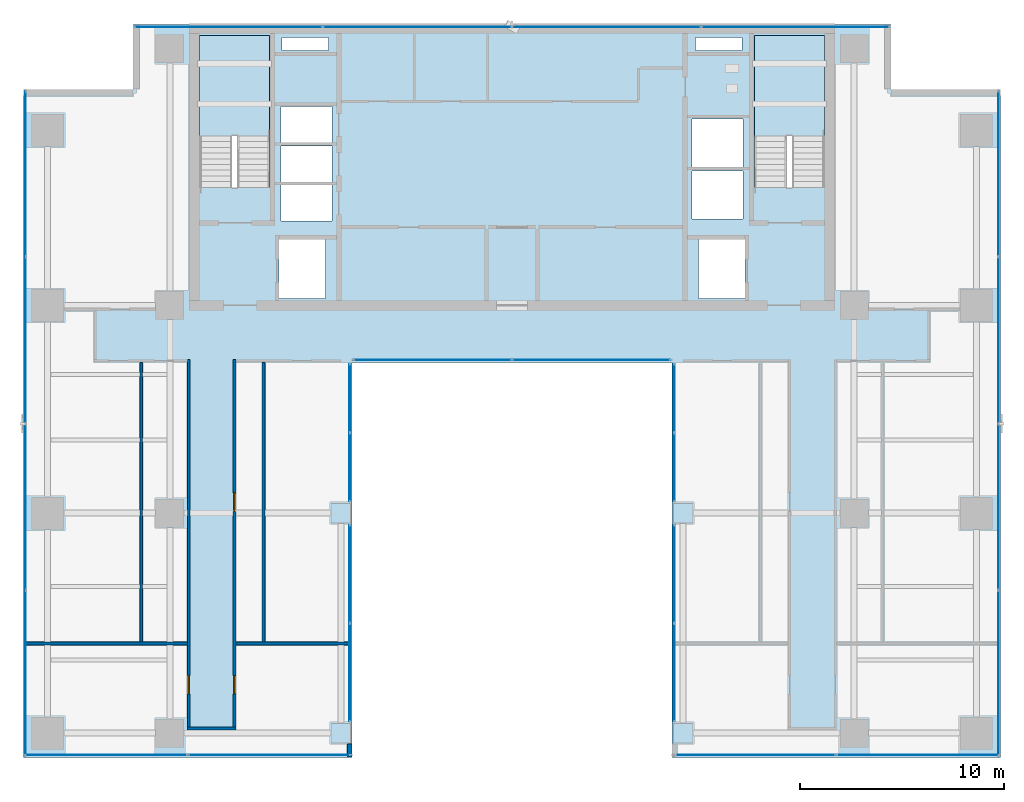
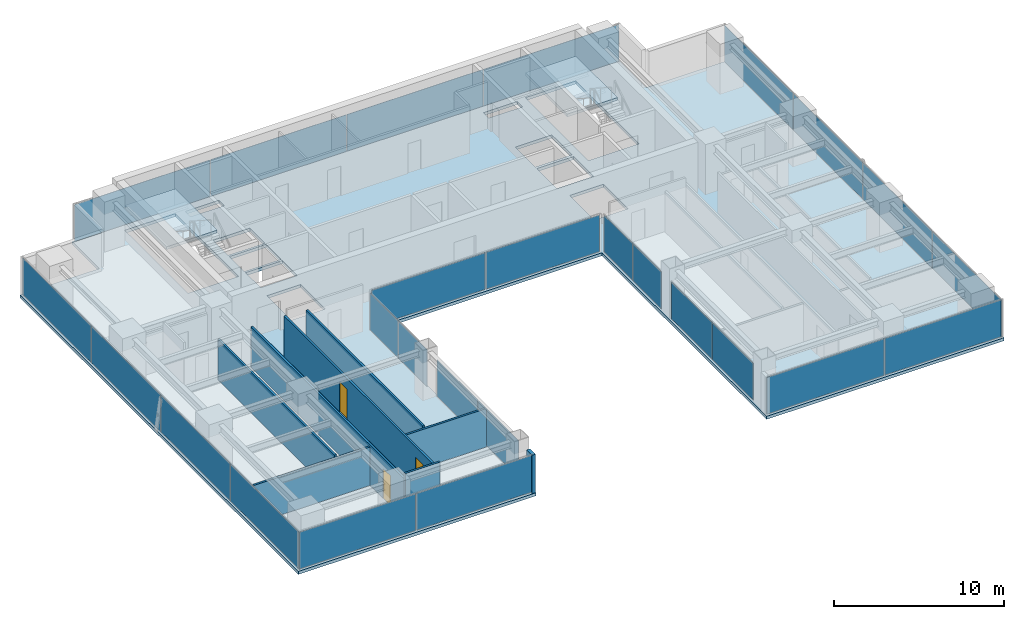
# One storey, part 23 of 29: 26 plates, 8 walls, 3 doors, 3 slabs, 3 openings, 12 elements without a shape of their own.
"""IFC4 building model written with IfcOpenShell, lengths in metres."""

from ifc_helpers import new_model, si_unit, direction, frame, frame_2d, origin, origin_2d, place, context, subcontext, project, spatial, polyline, rectangle, outline, extrude, source, transform, mapped, material, layer, layer_set, type_object, element, fill, aggregate, save


model = new_model("IFC4")

# Units and contexts
model_context = context("Model", 3, precision=1e-05, world=origin(), true_north=direction((0.0, 1.0)))
body_context = subcontext(model_context, "Body", "Model", "MODEL_VIEW")
ifc_project = project(units=[si_unit("LENGTHUNIT", "METRE"), si_unit("AREAUNIT", "SQUARE_METRE"), si_unit("VOLUMEUNIT", "CUBIC_METRE"), si_unit("PLANEANGLEUNIT", "RADIAN"), si_unit("MASSUNIT", "GRAM", prefix="KILO")], contexts=[model_context])

# Site, building, storey
site_placement = place(None, origin())
site = spatial("IfcSite", under=ifc_project, at=site_placement, CompositionType="ELEMENT")
building_placement = place(site_placement, origin())
building = spatial("IfcBuilding", under=site, at=building_placement, Name="Sumidabori Civic Tower", CompositionType="ELEMENT")
storey_placement = place(building_placement, frame((0.0, 0.0, 203.60009765625)))
storey = spatial("IfcBuildingStorey", under=building, at=storey_placement, Name="L52", CompositionType="ELEMENT", Elevation=203.60009765625)

# Stair, slab
ifc_material_1 = material(Name="Concrete C40/50", Category="concrete")
stair_type = type_object("IfcStairType", Name="ST-CORE-1600", PredefinedType="HALF_TURN_STAIR", material=ifc_material_1)
stair_1_placement = place(storey_placement, origin())
stair_1 = element("IfcStair", 1, at=stair_1_placement, inside=storey, type_object=stair_type, Name="L52 ST-1", PredefinedType="HALF_TURN_STAIR")
ifc_layer_1 = layer(ifc_material_1, 0.199951171875, Name="Concrete C40/50")
ifc_layer_set_1 = layer_set([ifc_layer_1], Name="Concrete C40/50")
slab_type_1 = type_object("IfcSlabType", Name="SL-LAND-200", PredefinedType="LANDING", material=ifc_layer_set_1)
slab_1_placement = place(storey_placement, frame((0.0, 0.0, 1.599853515625)))
slab_1 = element("IfcSlab", 2, at=slab_1_placement, type_object=slab_type_1, Name="ST-1 landing 1", PredefinedType="LANDING", context=body_context, shape_type="SweptSolid", body=[
    extrude(outline(polyline([(-11.89990234375, 18.52001953125), (-11.89990234375, 23.449951171875), (-15.340087890625, 23.449951171875), (-15.340087890625, 18.52001953125), (-11.89990234375, 18.52001953125)])), origin(), (0.0, 0.0, 1.0), 0.199951171875),
])
aggregate(stair_1, [slab_1])

stair_2_placement = place(storey_placement, origin())
stair_2 = element("IfcStair", 3, at=stair_2_placement, inside=storey, type_object=stair_type, Name="L52 ST-2", PredefinedType="HALF_TURN_STAIR")
slab_2_placement = place(storey_placement, frame((0.0, 0.0, 1.599853515625)))
slab_2 = element("IfcSlab", 4, at=slab_2_placement, type_object=slab_type_1, Name="ST-2 landing 1", PredefinedType="LANDING", context=body_context, shape_type="SweptSolid", body=[
    extrude(outline(polyline([(15.340087890625, 18.52001953125), (15.340087890625, 23.449951171875), (11.89990234375, 23.449951171875), (11.89990234375, 18.52001953125), (15.340087890625, 18.52001953125)])), origin(), (0.0, 0.0, 1.0), 0.199951171875),
])
aggregate(stair_2, [slab_2])

# Slab
ifc_layer_2 = layer(ifc_material_1, 0.219970703125, Name="Concrete C40/50")
ifc_layer_set_2 = layer_set([ifc_layer_2], Name="Concrete C40/50")
slab_type_2 = type_object("IfcSlabType", Name="SL-Z3-220", PredefinedType="FLOOR", material=ifc_layer_set_2)
slab_3_placement = place(storey_placement, frame((0.0, 0.0, -0.22021484375)))
element("IfcSlab", 5, at=slab_3_placement, inside=storey, type_object=slab_type_2, Name="Structural Slab L52", PredefinedType="FLOOR", context=body_context, shape_type="SweptSolid", body=[
    extrude(outline(polyline([(-24.0, -12.0), (-7.85009765625, -12.0), (-7.85009765625, 7.39990234375), (7.85009765625, 7.39990234375), (7.85009765625, -12.0), (24.0, -12.0), (24.0, 20.800048828125), (18.60009765625, 20.800048828125), (18.60009765625, 24.0), (-18.60009765625, 24.0), (-18.60009765625, 20.800048828125), (-24.0, 20.800048828125), (-24.0, -12.0)]), holes=[polyline([(-11.89990234375, 16.0), (-11.89990234375, 23.449951171875), (-15.340087890625, 23.449951171875), (-15.340087890625, 16.0), (-11.89990234375, 16.0)]), polyline([(15.340087890625, 16.0), (15.340087890625, 23.449951171875), (11.89990234375, 23.449951171875), (11.89990234375, 16.0), (15.340087890625, 16.0)]), polyline([(-11.449951171875, 10.550048828125), (-9.14990234375, 10.550048828125), (-9.14990234375, 13.449951171875), (-11.449951171875, 13.449951171875), (-11.449951171875, 10.550048828125)]), polyline([(9.14990234375, 10.550048828125), (11.449951171875, 10.550048828125), (11.449951171875, 13.449951171875), (9.14990234375, 13.449951171875), (9.14990234375, 10.550048828125)]), polyline([(-11.35009765625, 14.35009765625), (-8.85009765625, 14.35009765625), (-8.85009765625, 16.1201171875), (-11.35009765625, 16.1201171875), (-11.35009765625, 14.35009765625)]), polyline([(-11.35009765625, 16.27001953125), (-8.85009765625, 16.27001953125), (-8.85009765625, 18.0400390625), (-11.35009765625, 18.0400390625), (-11.35009765625, 16.27001953125)]), polyline([(-11.35009765625, 18.18994140625), (-8.85009765625, 18.18994140625), (-8.85009765625, 19.9599609375), (-11.35009765625, 19.9599609375), (-11.35009765625, 18.18994140625)]), polyline([(8.85009765625, 14.449951171875), (11.35009765625, 14.449951171875), (11.35009765625, 16.800048828125), (8.85009765625, 16.800048828125), (8.85009765625, 14.449951171875)]), polyline([(8.85009765625, 17.0), (11.35009765625, 17.0), (11.35009765625, 19.35009765625), (8.85009765625, 19.35009765625), (8.85009765625, 17.0)]), polyline([(-11.300048828125, 22.719970703125), (-9.0, 22.719970703125), (-9.0, 23.35009765625), (-11.300048828125, 23.35009765625), (-11.300048828125, 22.719970703125)]), polyline([(9.0, 22.719970703125), (11.300048828125, 22.719970703125), (11.300048828125, 23.35009765625), (9.0, 23.35009765625), (9.0, 22.719970703125)])]), origin(), (0.0, 0.0, 1.0), 0.22021484375),
])

# Curtain wall, plates
ifc_material_2 = material(Name="Anodised Bronze Aluminium AW-6063-T6", Category="aluminium")
ifc_layer_3 = layer(ifc_material_2, 0.179931640625, Name="Anodised Bronze Aluminium AW-6063-T6")
ifc_layer_set_3 = layer_set([ifc_layer_3], Name="Anodised Bronze Aluminium AW-6063-T6")
curtain_wall_type_1 = type_object("IfcCurtainWallType", Name="CW-SYS-5", PredefinedType="NOTDEFINED", material=ifc_layer_set_3)
curtain_wall_1_placement = place(storey_placement, origin())
curtain_wall_1 = element("IfcCurtainWall", 6, at=curtain_wall_1_placement, inside=storey, type_object=curtain_wall_type_1, Name="Curtain Wall CW:L52:R01", PredefinedType="NOTDEFINED")
ifc_material_3 = material(Name="Low-E Solar-Control Vision Glazing", Category="glass")
ifc_layer_4 = layer(ifc_material_3, 0.028076171875, Name="Low-E Solar-Control Vision Glazing")
ifc_layer_set_4 = layer_set([ifc_layer_4], Name="Low-E Solar-Control Vision Glazing")
plate_type_1 = type_object("IfcPlateType", Name="CW-PNL-28", PredefinedType="CURTAIN_PANEL", material=ifc_layer_set_4)
shared_shape_1 = source(origin(), body_context, "Body", "SweptSolid", [
    extrude(rectangle(XDim=7.955078125, YDim=0.028076171875, at=origin_2d()), origin(), (0.0, 0.0, 1.0), 2.639892578125),
])
plate_1_placement = place(storey_placement, frame((-19.9326171875, -11.8798828125, 0.06005859375), z_axis=(0.0, 0.0, 1.0), x_axis=(1.0, 0.0, 0.0)))
plate_1 = element("IfcPlate", 7, at=plate_1_placement, type_object=plate_type_1, Name="CW-5 panel 1.1", PredefinedType="CURTAIN_PANEL", context=body_context, shape_type="MappedRepresentation", body=[
    mapped(shared_shape_1, transform((0.0, 0.0, 0.0), x_axis=(1.0, 0.0, 0.0), y_axis=(0.0, 1.0, 0.0), z_axis=(0.0, 0.0, 1.0), scale=1.0)),
])
plate_2_placement = place(storey_placement, frame((-11.91748046875, -11.8798828125, 0.06005859375), z_axis=(0.0, 0.0, 1.0), x_axis=(1.0, 0.0, 0.0)))
plate_2 = element("IfcPlate", 8, at=plate_2_placement, type_object=plate_type_1, Name="CW-5 panel 2.1", PredefinedType="CURTAIN_PANEL", context=body_context, shape_type="MappedRepresentation", body=[
    mapped(shared_shape_1, transform((0.0, 0.0, 0.0), x_axis=(1.0, 0.0, 0.0), y_axis=(0.0, 1.0, 0.0), z_axis=(0.0, 0.0, 1.0), scale=1.0)),
])
aggregate(curtain_wall_1, [plate_1, plate_2])

curtain_wall_2_placement = place(storey_placement, origin())
curtain_wall_2 = element("IfcCurtainWall", 9, at=curtain_wall_2_placement, inside=storey, type_object=curtain_wall_type_1, Name="Curtain Wall CW:L52:R09", PredefinedType="NOTDEFINED")
plate_3_placement = place(storey_placement, frame((11.91748046875, -11.8798828125, 0.06005859375), z_axis=(0.0, 0.0, 1.0), x_axis=(1.0, 0.0, 0.0)))
plate_3 = element("IfcPlate", 10, at=plate_3_placement, type_object=plate_type_1, Name="CW-5 panel 1.1", PredefinedType="CURTAIN_PANEL", context=body_context, shape_type="MappedRepresentation", body=[
    mapped(shared_shape_1, transform((0.0, 0.0, 0.0), x_axis=(1.0, 0.0, 0.0), y_axis=(0.0, 1.0, 0.0), z_axis=(0.0, 0.0, 1.0), scale=1.0)),
])
plate_4_placement = place(storey_placement, frame((19.9326171875, -11.8798828125, 0.06005859375), z_axis=(0.0, 0.0, 1.0), x_axis=(1.0, 0.0, 0.0)))
plate_4 = element("IfcPlate", 11, at=plate_4_placement, type_object=plate_type_1, Name="CW-5 panel 2.1", PredefinedType="CURTAIN_PANEL", context=body_context, shape_type="MappedRepresentation", body=[
    mapped(shared_shape_1, transform((0.0, 0.0, 0.0), x_axis=(1.0, 0.0, 0.0), y_axis=(0.0, 1.0, 0.0), z_axis=(0.0, 0.0, 1.0), scale=1.0)),
])
aggregate(curtain_wall_2, [plate_3, plate_4])

ifc_layer_5 = layer(ifc_material_2, 0.179931640625, Name="Anodised Bronze Aluminium AW-6063-T6")
ifc_layer_set_5 = layer_set([ifc_layer_5], Name="Anodised Bronze Aluminium AW-6063-T6")
curtain_wall_type_2 = type_object("IfcCurtainWallType", Name="CW-SYS-4", PredefinedType="NOTDEFINED", material=ifc_layer_set_5)
curtain_wall_3_placement = place(storey_placement, origin())
curtain_wall_3 = element("IfcCurtainWall", 12, at=curtain_wall_3_placement, inside=storey, type_object=curtain_wall_type_2, Name="Curtain Wall CW:L52:R03", PredefinedType="NOTDEFINED")
ifc_material_4 = material(Name="Acoustic Laminated Portal Glazing", Category="glass")
ifc_layer_6 = layer(ifc_material_4, 0.030029296875, Name="Acoustic Laminated Portal Glazing")
ifc_layer_set_6 = layer_set([ifc_layer_6], Name="Acoustic Laminated Portal Glazing")
plate_type_2 = type_object("IfcPlateType", Name="CW-PNL-30", PredefinedType="CURTAIN_PANEL", material=ifc_layer_set_6)
shared_shape_2 = source(origin(), body_context, "Body", "SweptSolid", [
    extrude(rectangle(XDim=4.780029296875, YDim=0.030029296875, at=origin_2d()), origin(), (0.0, 0.0, 1.0), 2.639892578125),
])
plate_5_placement = place(storey_placement, frame((-7.969970703125, -7.820068359375, 0.06005859375), z_axis=(0.0, 0.0, 1.0), x_axis=(0.0, 1.0, 0.0)))
plate_5 = element("IfcPlate", 13, at=plate_5_placement, type_object=plate_type_2, Name="CW-4 panel 1.1", PredefinedType="CURTAIN_PANEL", context=body_context, shape_type="MappedRepresentation", body=[
    mapped(shared_shape_2, transform((0.0, 0.0, 0.0), x_axis=(1.0, 0.0, 0.0), y_axis=(0.0, 1.0, 0.0), z_axis=(0.0, 0.0, 1.0), scale=1.0)),
])
plate_6_placement = place(storey_placement, frame((-7.969970703125, -2.97998046875, 0.06005859375), z_axis=(0.0, 0.0, 1.0), x_axis=(0.0, 1.0, 0.0)))
plate_6 = element("IfcPlate", 14, at=plate_6_placement, type_object=plate_type_2, Name="CW-4 panel 2.1", PredefinedType="CURTAIN_PANEL", context=body_context, shape_type="MappedRepresentation", body=[
    mapped(shared_shape_2, transform((0.0, 0.0, 0.0), x_axis=(1.0, 0.0, 0.0), y_axis=(0.0, 1.0, 0.0), z_axis=(0.0, 0.0, 1.0), scale=1.0)),
])
aggregate(curtain_wall_3, [plate_5, plate_6])

curtain_wall_4_placement = place(storey_placement, origin())
curtain_wall_4 = element("IfcCurtainWall", 15, at=curtain_wall_4_placement, inside=storey, type_object=curtain_wall_type_2, Name="Curtain Wall CW:L52:R07", PredefinedType="NOTDEFINED")
plate_7_placement = place(storey_placement, frame((7.969970703125, -2.97998046875, 0.06005859375), z_axis=(0.0, 0.0, 1.0), x_axis=(0.0, -1.0, 0.0)))
plate_7 = element("IfcPlate", 16, at=plate_7_placement, type_object=plate_type_2, Name="CW-4 panel 1.1", PredefinedType="CURTAIN_PANEL", context=body_context, shape_type="MappedRepresentation", body=[
    mapped(shared_shape_2, transform((0.0, 0.0, 0.0), x_axis=(1.0, 0.0, 0.0), y_axis=(0.0, 1.0, 0.0), z_axis=(0.0, 0.0, 1.0), scale=1.0)),
])
plate_8_placement = place(storey_placement, frame((7.969970703125, -7.820068359375, 0.06005859375), z_axis=(0.0, 0.0, 1.0), x_axis=(0.0, -1.0, 0.0)))
plate_8 = element("IfcPlate", 17, at=plate_8_placement, type_object=plate_type_2, Name="CW-4 panel 2.1", PredefinedType="CURTAIN_PANEL", context=body_context, shape_type="MappedRepresentation", body=[
    mapped(shared_shape_2, transform((0.0, 0.0, 0.0), x_axis=(1.0, 0.0, 0.0), y_axis=(0.0, 1.0, 0.0), z_axis=(0.0, 0.0, 1.0), scale=1.0)),
])
aggregate(curtain_wall_4, [plate_7, plate_8])

curtain_wall_5_placement = place(storey_placement, origin())
curtain_wall_5 = element("IfcCurtainWall", 18, at=curtain_wall_5_placement, inside=storey, type_object=curtain_wall_type_2, Name="Curtain Wall CW:L52:R04", PredefinedType="NOTDEFINED")
shared_shape_3 = source(origin(), body_context, "Body", "SweptSolid", [
    extrude(rectangle(XDim=3.330078125, YDim=0.030029296875, at=origin_2d()), origin(), (0.0, 0.0, 1.0), 2.639892578125),
])
plate_9_placement = place(storey_placement, frame((-7.969970703125, 2.2548828125, 0.06005859375), z_axis=(0.0, 0.0, 1.0), x_axis=(0.0, 1.0, 0.0)))
plate_9 = element("IfcPlate", 19, at=plate_9_placement, type_object=plate_type_2, Name="CW-4 panel 1.1", PredefinedType="CURTAIN_PANEL", context=body_context, shape_type="MappedRepresentation", body=[
    mapped(shared_shape_3, transform((0.0, 0.0, 0.0), x_axis=(1.0, 0.0, 0.0), y_axis=(0.0, 1.0, 0.0), z_axis=(0.0, 0.0, 1.0), scale=1.0)),
])
plate_10_placement = place(storey_placement, frame((-7.969970703125, 5.64501953125, 0.06005859375), z_axis=(0.0, 0.0, 1.0), x_axis=(0.0, 1.0, 0.0)))
plate_10 = element("IfcPlate", 20, at=plate_10_placement, type_object=plate_type_2, Name="CW-4 panel 2.1", PredefinedType="CURTAIN_PANEL", context=body_context, shape_type="MappedRepresentation", body=[
    mapped(shared_shape_3, transform((0.0, 0.0, 0.0), x_axis=(1.0, 0.0, 0.0), y_axis=(0.0, 1.0, 0.0), z_axis=(0.0, 0.0, 1.0), scale=1.0)),
])
aggregate(curtain_wall_5, [plate_9, plate_10])

curtain_wall_6_placement = place(storey_placement, origin())
curtain_wall_6 = element("IfcCurtainWall", 21, at=curtain_wall_6_placement, inside=storey, type_object=curtain_wall_type_2, Name="Curtain Wall CW:L52:R06", PredefinedType="NOTDEFINED")
plate_11_placement = place(storey_placement, frame((7.969970703125, 5.64501953125, 0.06005859375), z_axis=(0.0, 0.0, 1.0), x_axis=(0.0, -1.0, 0.0)))
plate_11 = element("IfcPlate", 22, at=plate_11_placement, type_object=plate_type_2, Name="CW-4 panel 1.1", PredefinedType="CURTAIN_PANEL", context=body_context, shape_type="MappedRepresentation", body=[
    mapped(shared_shape_3, transform((0.0, 0.0, 0.0), x_axis=(1.0, 0.0, 0.0), y_axis=(0.0, 1.0, 0.0), z_axis=(0.0, 0.0, 1.0), scale=1.0)),
])
plate_12_placement = place(storey_placement, frame((7.969970703125, 2.2548828125, 0.06005859375), z_axis=(0.0, 0.0, 1.0), x_axis=(0.0, -1.0, 0.0)))
plate_12 = element("IfcPlate", 23, at=plate_12_placement, type_object=plate_type_2, Name="CW-4 panel 2.1", PredefinedType="CURTAIN_PANEL", context=body_context, shape_type="MappedRepresentation", body=[
    mapped(shared_shape_3, transform((0.0, 0.0, 0.0), x_axis=(1.0, 0.0, 0.0), y_axis=(0.0, 1.0, 0.0), z_axis=(0.0, 0.0, 1.0), scale=1.0)),
])
aggregate(curtain_wall_6, [plate_11, plate_12])

curtain_wall_7_placement = place(storey_placement, origin())
curtain_wall_7 = element("IfcCurtainWall", 24, at=curtain_wall_7_placement, inside=storey, type_object=curtain_wall_type_2, Name="Curtain Wall CW:L52:R05", PredefinedType="NOTDEFINED")
shared_shape_4 = source(origin(), body_context, "Body", "SweptSolid", [
    extrude(rectangle(XDim=7.72998046875, YDim=0.030029296875, at=origin_2d()), origin(), (0.0, 0.0, 1.0), 2.639892578125),
])
plate_13_placement = place(storey_placement, frame((-3.89501953125, 7.52001953125, 0.06005859375), z_axis=(0.0, 0.0, 1.0), x_axis=(1.0, 0.0, 0.0)))
plate_13 = element("IfcPlate", 25, at=plate_13_placement, type_object=plate_type_2, Name="CW-4 panel 1.1", PredefinedType="CURTAIN_PANEL", context=body_context, shape_type="MappedRepresentation", body=[
    mapped(shared_shape_4, transform((0.0, 0.0, 0.0), x_axis=(1.0, 0.0, 0.0), y_axis=(0.0, 1.0, 0.0), z_axis=(0.0, 0.0, 1.0), scale=1.0)),
])
plate_14_placement = place(storey_placement, frame((3.89501953125, 7.52001953125, 0.06005859375), z_axis=(0.0, 0.0, 1.0), x_axis=(1.0, 0.0, 0.0)))
plate_14 = element("IfcPlate", 26, at=plate_14_placement, type_object=plate_type_2, Name="CW-4 panel 2.1", PredefinedType="CURTAIN_PANEL", context=body_context, shape_type="MappedRepresentation", body=[
    mapped(shared_shape_4, transform((0.0, 0.0, 0.0), x_axis=(1.0, 0.0, 0.0), y_axis=(0.0, 1.0, 0.0), z_axis=(0.0, 0.0, 1.0), scale=1.0)),
])
aggregate(curtain_wall_7, [plate_13, plate_14])

curtain_wall_8_placement = place(storey_placement, origin())
curtain_wall_8 = element("IfcCurtainWall", 27, at=curtain_wall_8_placement, inside=storey, type_object=curtain_wall_type_1, Name="Curtain Wall CW:L52:R10", PredefinedType="NOTDEFINED")
shared_shape_5 = source(origin(), body_context, "Body", "SweptSolid", [
    extrude(rectangle(XDim=8.094970703125, YDim=0.028076171875, at=origin_2d()), origin(), (0.0, 0.0, 1.0), 2.639892578125),
])
plate_15_placement = place(storey_placement, frame((23.8798828125, -7.862548828125, 0.06005859375), z_axis=(0.0, 0.0, 1.0), x_axis=(0.0, 1.0, 0.0)))
plate_15 = element("IfcPlate", 28, at=plate_15_placement, type_object=plate_type_1, Name="CW-5 panel 1.1", PredefinedType="CURTAIN_PANEL", context=body_context, shape_type="MappedRepresentation", body=[
    mapped(shared_shape_5, transform((0.0, 0.0, 0.0), x_axis=(1.0, 0.0, 0.0), y_axis=(0.0, 1.0, 0.0), z_axis=(0.0, 0.0, 1.0), scale=1.0)),
])
plate_16_placement = place(storey_placement, frame((23.8798828125, 16.66259765625, 0.06005859375), z_axis=(0.0, 0.0, 1.0), x_axis=(0.0, 1.0, 0.0)))
plate_16 = element("IfcPlate", 29, at=plate_16_placement, type_object=plate_type_1, Name="CW-5 panel 4.1", PredefinedType="CURTAIN_PANEL", context=body_context, shape_type="MappedRepresentation", body=[
    mapped(shared_shape_5, transform((0.0, 0.0, 0.0), x_axis=(1.0, 0.0, 0.0), y_axis=(0.0, 1.0, 0.0), z_axis=(0.0, 0.0, 1.0), scale=1.0)),
])

curtain_wall_9_placement = place(storey_placement, origin())
curtain_wall_9 = element("IfcCurtainWall", 30, at=curtain_wall_9_placement, inside=storey, type_object=curtain_wall_type_1, Name="Curtain Wall CW:L52:R16", PredefinedType="NOTDEFINED")
plate_17_placement = place(storey_placement, frame((-23.8798828125, 16.66259765625, 0.06005859375), z_axis=(0.0, 0.0, 1.0), x_axis=(0.0, -1.0, 0.0)))
plate_17 = element("IfcPlate", 31, at=plate_17_placement, type_object=plate_type_1, Name="CW-5 panel 1.1", PredefinedType="CURTAIN_PANEL", context=body_context, shape_type="MappedRepresentation", body=[
    mapped(shared_shape_5, transform((0.0, 0.0, 0.0), x_axis=(1.0, 0.0, 0.0), y_axis=(0.0, 1.0, 0.0), z_axis=(0.0, 0.0, 1.0), scale=1.0)),
])
plate_18_placement = place(storey_placement, frame((-23.8798828125, -7.862548828125, 0.06005859375), z_axis=(0.0, 0.0, 1.0), x_axis=(0.0, -1.0, 0.0)))
plate_18 = element("IfcPlate", 32, at=plate_18_placement, type_object=plate_type_1, Name="CW-5 panel 4.1", PredefinedType="CURTAIN_PANEL", context=body_context, shape_type="MappedRepresentation", body=[
    mapped(shared_shape_5, transform((0.0, 0.0, 0.0), x_axis=(1.0, 0.0, 0.0), y_axis=(0.0, 1.0, 0.0), z_axis=(0.0, 0.0, 1.0), scale=1.0)),
])

# Plate
shared_shape_6 = source(origin(), body_context, "Body", "SweptSolid", [
    extrude(rectangle(XDim=8.125, YDim=0.028076171875, at=origin_2d()), origin(), (0.0, 0.0, 1.0), 2.639892578125),
])
plate_19_placement = place(storey_placement, frame((23.8798828125, 0.3076171875, 0.06005859375), z_axis=(0.0, 0.0, 1.0), x_axis=(0.0, 1.0, 0.0)))
plate_19 = element("IfcPlate", 33, at=plate_19_placement, type_object=plate_type_1, Name="CW-5 panel 2.1", PredefinedType="CURTAIN_PANEL", context=body_context, shape_type="MappedRepresentation", body=[
    mapped(shared_shape_6, transform((0.0, 0.0, 0.0), x_axis=(1.0, 0.0, 0.0), y_axis=(0.0, 1.0, 0.0), z_axis=(0.0, 0.0, 1.0), scale=1.0)),
])

plate_20_placement = place(storey_placement, frame((23.8798828125, 8.492431640625, 0.06005859375), z_axis=(0.0, 0.0, 1.0), x_axis=(0.0, 1.0, 0.0)))
plate_20 = element("IfcPlate", 34, at=plate_20_placement, type_object=plate_type_1, Name="CW-5 panel 3.1", PredefinedType="CURTAIN_PANEL", context=body_context, shape_type="MappedRepresentation", body=[
    mapped(shared_shape_6, transform((0.0, 0.0, 0.0), x_axis=(1.0, 0.0, 0.0), y_axis=(0.0, 1.0, 0.0), z_axis=(0.0, 0.0, 1.0), scale=1.0)),
])

aggregate(curtain_wall_8, [plate_15, plate_19, plate_20, plate_16])

plate_21_placement = place(storey_placement, frame((-23.8798828125, 8.492431640625, 0.06005859375), z_axis=(0.0, 0.0, 1.0), x_axis=(0.0, -1.0, 0.0)))
plate_21 = element("IfcPlate", 35, at=plate_21_placement, type_object=plate_type_1, Name="CW-5 panel 2.1", PredefinedType="CURTAIN_PANEL", context=body_context, shape_type="MappedRepresentation", body=[
    mapped(shared_shape_6, transform((0.0, 0.0, 0.0), x_axis=(1.0, 0.0, 0.0), y_axis=(0.0, 1.0, 0.0), z_axis=(0.0, 0.0, 1.0), scale=1.0)),
])

plate_22_placement = place(storey_placement, frame((-23.8798828125, 0.3076171875, 0.06005859375), z_axis=(0.0, 0.0, 1.0), x_axis=(0.0, -1.0, 0.0)))
plate_22 = element("IfcPlate", 36, at=plate_22_placement, type_object=plate_type_1, Name="CW-5 panel 3.1", PredefinedType="CURTAIN_PANEL", context=body_context, shape_type="MappedRepresentation", body=[
    mapped(shared_shape_6, transform((0.0, 0.0, 0.0), x_axis=(1.0, 0.0, 0.0), y_axis=(0.0, 1.0, 0.0), z_axis=(0.0, 0.0, 1.0), scale=1.0)),
])

aggregate(curtain_wall_9, [plate_17, plate_21, plate_22, plate_18])

# Curtain wall, plates
curtain_wall_10_placement = place(storey_placement, origin())
curtain_wall_10 = element("IfcCurtainWall", 37, at=curtain_wall_10_placement, inside=storey, type_object=curtain_wall_type_1, Name="Curtain Wall CW:L52:R13", PredefinedType="NOTDEFINED")
shared_shape_7 = source(origin(), body_context, "Body", "SweptSolid", [
    extrude(rectangle(XDim=9.195068359375, YDim=0.028076171875, at=origin_2d()), origin(), (0.0, 0.0, 1.0), 2.639892578125),
])
plate_23_placement = place(storey_placement, frame((13.91259765625, 23.8798828125, 0.06005859375), z_axis=(0.0, 0.0, 1.0), x_axis=(-1.0, 0.0, 0.0)))
plate_23 = element("IfcPlate", 38, at=plate_23_placement, type_object=plate_type_1, Name="CW-5 panel 1.1", PredefinedType="CURTAIN_PANEL", context=body_context, shape_type="MappedRepresentation", body=[
    mapped(shared_shape_7, transform((0.0, 0.0, 0.0), x_axis=(1.0, 0.0, 0.0), y_axis=(0.0, 1.0, 0.0), z_axis=(0.0, 0.0, 1.0), scale=1.0)),
])
plate_24_placement = place(storey_placement, frame((-13.91259765625, 23.8798828125, 0.06005859375), z_axis=(0.0, 0.0, 1.0), x_axis=(-1.0, 0.0, 0.0)))
plate_24 = element("IfcPlate", 39, at=plate_24_placement, type_object=plate_type_1, Name="CW-5 panel 4.1", PredefinedType="CURTAIN_PANEL", context=body_context, shape_type="MappedRepresentation", body=[
    mapped(shared_shape_7, transform((0.0, 0.0, 0.0), x_axis=(1.0, 0.0, 0.0), y_axis=(0.0, 1.0, 0.0), z_axis=(0.0, 0.0, 1.0), scale=1.0)),
])
shared_shape_8 = source(origin(), body_context, "Body", "SweptSolid", [
    extrude(rectangle(XDim=9.22509765625, YDim=0.028076171875, at=origin_2d()), origin(), (0.0, 0.0, 1.0), 2.639892578125),
])
plate_25_placement = place(storey_placement, frame((4.642578125, 23.8798828125, 0.06005859375), z_axis=(0.0, 0.0, 1.0), x_axis=(-1.0, 0.0, 0.0)))
plate_25 = element("IfcPlate", 40, at=plate_25_placement, type_object=plate_type_1, Name="CW-5 panel 2.1", PredefinedType="CURTAIN_PANEL", context=body_context, shape_type="MappedRepresentation", body=[
    mapped(shared_shape_8, transform((0.0, 0.0, 0.0), x_axis=(1.0, 0.0, 0.0), y_axis=(0.0, 1.0, 0.0), z_axis=(0.0, 0.0, 1.0), scale=1.0)),
])
plate_26_placement = place(storey_placement, frame((-4.642578125, 23.8798828125, 0.06005859375), z_axis=(0.0, 0.0, 1.0), x_axis=(-1.0, 0.0, 0.0)))
plate_26 = element("IfcPlate", 41, at=plate_26_placement, type_object=plate_type_1, Name="CW-5 panel 3.1", PredefinedType="CURTAIN_PANEL", context=body_context, shape_type="MappedRepresentation", body=[
    mapped(shared_shape_8, transform((0.0, 0.0, 0.0), x_axis=(1.0, 0.0, 0.0), y_axis=(0.0, 1.0, 0.0), z_axis=(0.0, 0.0, 1.0), scale=1.0)),
])
aggregate(curtain_wall_10, [plate_23, plate_25, plate_26, plate_24])

# Walls
ifc_material_5 = material(Name="Precast concrete C40/50", Category="concrete")
ifc_layer_7 = layer(ifc_material_5, 0.300048828125, Name="Precast concrete C40/50")
ifc_layer_set_7 = layer_set([ifc_layer_7], Name="Precast concrete C40/50")
wall_type_1 = type_object("IfcWallType", Name="WL-EXT-POD300", PredefinedType="STANDARD", material=ifc_layer_set_7)
shared_shape_9 = source(origin(), body_context, "Body", "SweptSolid", [
    extrude(rectangle(XDim=0.639892578125, YDim=0.239990234375, at=frame_2d((0.31982421875, 0.0))), origin(), (0.0, 0.0, 1.0), 2.760009765625),
])
wall_1_placement = place(storey_placement, frame((-7.969970703125, -11.969970703125, 0.0), z_axis=(0.0, 0.0, 1.0), x_axis=(0.0, 1.0, 0.0)))
element("IfcWall", 42, at=wall_1_placement, inside=storey, type_object=wall_type_1, Name="Perimeter Pier Spandrel L52-02", PredefinedType="STANDARD", context=body_context, shape_type="MappedRepresentation", body=[
    mapped(shared_shape_9, transform((0.0, 0.0, 0.0), x_axis=(1.0, 0.0, 0.0), y_axis=(0.0, 1.0, 0.0), z_axis=(0.0, 0.0, 1.0), scale=1.0)),
])
ifc_material_6 = material(Name="Gypsum Plasterboard Acoustic Partition")
ifc_layer_8 = layer(ifc_material_6, 0.135009765625, Name="Gypsum Plasterboard Acoustic Partition")
ifc_layer_set_8 = layer_set([ifc_layer_8], Name="Gypsum Plasterboard Acoustic Partition")
wall_type_2 = type_object("IfcWallType", Name="WL-PART-135", PredefinedType="PARTITIONING", material=ifc_layer_set_8)
shared_shape_10 = source(origin(), body_context, "Body", "SweptSolid", [
    extrude(rectangle(XDim=2.3701171875, YDim=0.135009765625, at=frame_2d((1.18505859375, 0.0))), origin(), (0.0, 0.0, 1.0), 3.3798828125),
])
wall_2_placement = place(storey_placement, frame((-15.93505859375, -10.5673828125, 0.0), z_axis=(0.0, 0.0, 1.0), x_axis=(1.0, 0.0, 0.0)))
element("IfcWall", 43, at=wall_2_placement, inside=storey, type_object=wall_type_2, Name="Interior Partition WL:L52:CORR-CAP-W", PredefinedType="PARTITIONING", context=body_context, shape_type="MappedRepresentation", body=[
    mapped(shared_shape_10, transform((0.0, 0.0, 0.0), x_axis=(1.0, 0.0, 0.0), y_axis=(0.0, 1.0, 0.0), z_axis=(0.0, 0.0, 1.0), scale=1.0)),
])
shared_shape_11 = source(origin(), body_context, "Body", "SweptSolid", [
    extrude(rectangle(XDim=7.91015625, YDim=0.135009765625, at=frame_2d((3.955078125, 0.0))), origin(), (0.0, 0.0, 1.0), 2.764892578125),
])
wall_3_placement = place(storey_placement, frame((-23.85009765625, -6.39990234375, 0.0), z_axis=(0.0, 0.0, 1.0), x_axis=(1.0, 0.0, 0.0)))
element("IfcWall", 44, at=wall_3_placement, inside=storey, type_object=wall_type_2, Name="Interior Partition WL:L52:BAND-YW-1", PredefinedType="PARTITIONING", context=body_context, shape_type="MappedRepresentation", body=[
    mapped(shared_shape_11, transform((0.0, 0.0, 0.0), x_axis=(1.0, 0.0, 0.0), y_axis=(0.0, 1.0, 0.0), z_axis=(0.0, 0.0, 1.0), scale=1.0)),
])
shared_shape_12 = source(origin(), body_context, "Body", "SweptSolid", [
    extrude(rectangle(XDim=5.56005859375, YDim=0.135009765625, at=frame_2d((2.780029296875, 0.0))), origin(), (0.0, 0.0, 1.0), 2.764892578125),
])
wall_4_placement = place(storey_placement, frame((-13.56005859375, -6.39990234375, 0.0), z_axis=(0.0, 0.0, 1.0), x_axis=(1.0, 0.0, 0.0)))
element("IfcWall", 45, at=wall_4_placement, inside=storey, type_object=wall_type_2, Name="Interior Partition WL:L52:BAND-YW-2", PredefinedType="PARTITIONING", context=body_context, shape_type="MappedRepresentation", body=[
    mapped(shared_shape_12, transform((0.0, 0.0, 0.0), x_axis=(1.0, 0.0, 0.0), y_axis=(0.0, 1.0, 0.0), z_axis=(0.0, 0.0, 1.0), scale=1.0)),
])

# Wall, opening, door
shared_shape_13 = source(origin(), body_context, "Body", "SweptSolid", [
    extrude(rectangle(XDim=18.045166015625, YDim=0.135009765625, at=frame_2d((9.0224609375, 0.0))), origin(), (0.0, 0.0, 1.0), 2.914794921875),
])
wall_5_placement = place(storey_placement, frame((-15.867431640625, -10.4951171875, 0.0), z_axis=(0.0, 0.0, 1.0), x_axis=(0.0, 1.0, 0.0)))
wall_5 = element("IfcWall", 46, at=wall_5_placement, inside=storey, type_object=wall_type_2, Name="Interior Partition WL:L52:CORR-VPW-O", PredefinedType="PARTITIONING", context=body_context, shape_type="MappedRepresentation", body=[
    mapped(shared_shape_13, transform((0.0, 0.0, 0.0), x_axis=(1.0, 0.0, 0.0), y_axis=(0.0, 1.0, 0.0), z_axis=(0.0, 0.0, 1.0), scale=1.0)),
])
opening_1_placement = place(wall_5_placement, frame((1.623779296875, 0.0, 0.0)))
opening_1 = element("IfcOpeningElement", 47, at=opening_1_placement, cuts=wall_5, Name="Opening DR-1", PredefinedType="OPENING", context=body_context, shape_type="SweptSolid", body=[
    extrude(rectangle(XDim=0.89990234375, YDim=2.14990234375, at=frame_2d((0.449951171875, 1.074951171875))), frame((0.0, 0.07958984375, 0.0), z_axis=(0.0, -1.0, 0.0), x_axis=(1.0, 0.0, 0.0)), (0.0, 0.0, 1.0), 0.158935546875),
])
ifc_material_7 = material(Name="Japanese Hinoki Timber", Category="wood")
door_type = type_object("IfcDoorType", Name="DR-INT-900", OperationType="NOTDEFINED", PredefinedType="DOOR", material=ifc_material_7)
shared_shape_14 = source(origin(), body_context, "Body", "SweptSolid", [
    extrude(rectangle(XDim=0.89990234375, YDim=2.14990234375, at=frame_2d((0.449951171875, 1.074951171875))), frame((0.0, 0.02490234375, 0.0), z_axis=(0.0, -1.0, 0.0), x_axis=(1.0, 0.0, 0.0)), (0.0, 0.0, 1.0), 0.050048828125),
])
door_1_placement = place(opening_1_placement, origin())
door_1 = element("IfcDoor", 48, at=door_1_placement, inside=storey, type_object=door_type, Name="Door DR:L52:D11", OperationType="SINGLE_SWING_LEFT", OverallHeight=2.14990234375, OverallWidth=0.89990234375, PredefinedType="DOOR", context=body_context, shape_type="MappedRepresentation", body=[
    mapped(shared_shape_14, transform((0.0, 0.0, 0.0), x_axis=(1.0, 0.0, 0.0), y_axis=(0.0, 1.0, 0.0), z_axis=(0.0, 0.0, 1.0), scale=1.0)),
])
fill(opening_1, door_1)

# Wall, openings, doors
wall_6_placement = place(storey_placement, frame((-13.632568359375, -10.4951171875, 0.0), z_axis=(0.0, 0.0, 1.0), x_axis=(0.0, 1.0, 0.0)))
wall_6 = element("IfcWall", 49, at=wall_6_placement, inside=storey, type_object=wall_type_2, Name="Interior Partition WL:L52:CORR-VPW-I", PredefinedType="PARTITIONING", context=body_context, shape_type="MappedRepresentation", body=[
    mapped(shared_shape_13, transform((0.0, 0.0, 0.0), x_axis=(1.0, 0.0, 0.0), y_axis=(0.0, 1.0, 0.0), z_axis=(0.0, 0.0, 1.0), scale=1.0)),
])
opening_2_placement = place(wall_6_placement, frame((10.586181640625, 0.0, 0.0)))
opening_2 = element("IfcOpeningElement", 50, at=opening_2_placement, cuts=wall_6, Name="Opening DR-1", PredefinedType="OPENING", context=body_context, shape_type="SweptSolid", body=[
    extrude(rectangle(XDim=0.89990234375, YDim=2.14990234375, at=frame_2d((0.449951171875, 1.074951171875))), frame((0.0, 0.07958984375, 0.0), z_axis=(0.0, -1.0, 0.0), x_axis=(1.0, 0.0, 0.0)), (0.0, 0.0, 1.0), 0.158935546875),
])
opening_3_placement = place(wall_6_placement, frame((1.623779296875, 0.0, 0.0)))
opening_3 = element("IfcOpeningElement", 51, at=opening_3_placement, cuts=wall_6, Name="Opening DR-1", PredefinedType="OPENING", context=body_context, shape_type="SweptSolid", body=[
    extrude(rectangle(XDim=0.89990234375, YDim=2.14990234375, at=frame_2d((0.449951171875, 1.074951171875))), frame((0.0, 0.07958984375, 0.0), z_axis=(0.0, -1.0, 0.0), x_axis=(1.0, 0.0, 0.0)), (0.0, 0.0, 1.0), 0.158935546875),
])
door_2_placement = place(opening_2_placement, origin())
door_2 = element("IfcDoor", 52, at=door_2_placement, inside=storey, type_object=door_type, Name="Door DR:L52:D09", OperationType="SINGLE_SWING_LEFT", OverallHeight=2.14990234375, OverallWidth=0.89990234375, PredefinedType="DOOR", context=body_context, shape_type="MappedRepresentation", body=[
    mapped(shared_shape_14, transform((0.0, 0.0, 0.0), x_axis=(1.0, 0.0, 0.0), y_axis=(0.0, 1.0, 0.0), z_axis=(0.0, 0.0, 1.0), scale=1.0)),
])
fill(opening_2, door_2)
door_3_placement = place(opening_3_placement, origin())
door_3 = element("IfcDoor", 53, at=door_3_placement, inside=storey, type_object=door_type, Name="Door DR:L52:D13", OperationType="SINGLE_SWING_LEFT", OverallHeight=2.14990234375, OverallWidth=0.89990234375, PredefinedType="DOOR", context=body_context, shape_type="MappedRepresentation", body=[
    mapped(shared_shape_14, transform((0.0, 0.0, 0.0), x_axis=(1.0, 0.0, 0.0), y_axis=(0.0, 1.0, 0.0), z_axis=(0.0, 0.0, 1.0), scale=1.0)),
])
fill(opening_3, door_3)

# Walls
shared_shape_15 = source(origin(), body_context, "Body", "SweptSolid", [
    extrude(rectangle(XDim=13.7373046875, YDim=0.135009765625, at=frame_2d((6.86865234375, 0.0))), origin(), (0.0, 0.0, 1.0), 2.914794921875),
])
for number, where, z_axis, x_axis, name in (
    (54, (-18.199951171875, -6.327392578125, 0.0), (0.0, 0.0, 1.0), (0.0, 1.0, 0.0), "Interior Partition WL:L52:VX-N1"),
    (55, (-12.199951171875, -6.327392578125, 0.0), (0.0, 0.0, 1.0), (0.0, 1.0, 0.0), "Interior Partition WL:L52:VX-N2"),
):
    element("IfcWall", number, at=place(storey_placement, frame(where, z_axis=z_axis, x_axis=x_axis)), inside=storey, type_object=wall_type_2, Name=name, PredefinedType="PARTITIONING", context=body_context, shape_type="MappedRepresentation", body=[
        mapped(shared_shape_15, transform((0.0, 0.0, 0.0), x_axis=(1.0, 0.0, 0.0), y_axis=(0.0, 1.0, 0.0), z_axis=(0.0, 0.0, 1.0), scale=1.0)),
    ])

save(model, "model.ifc")
